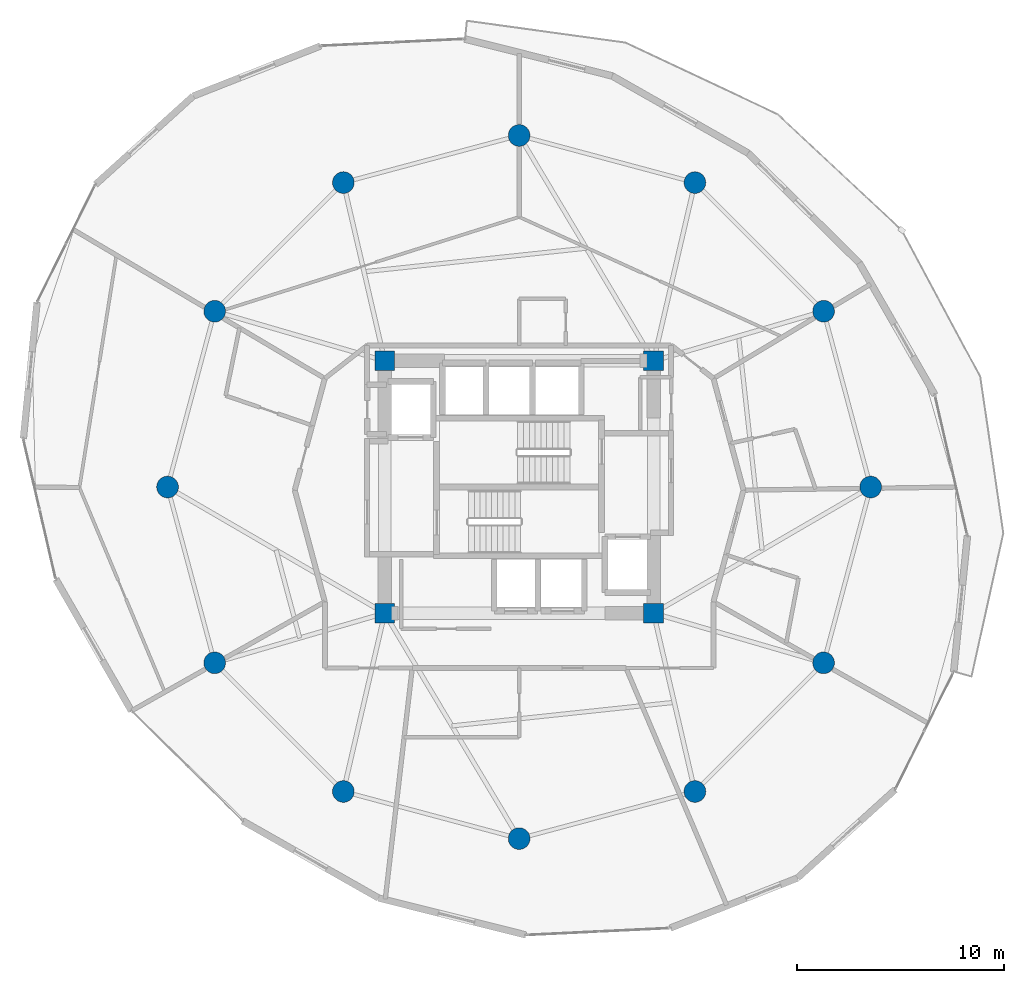
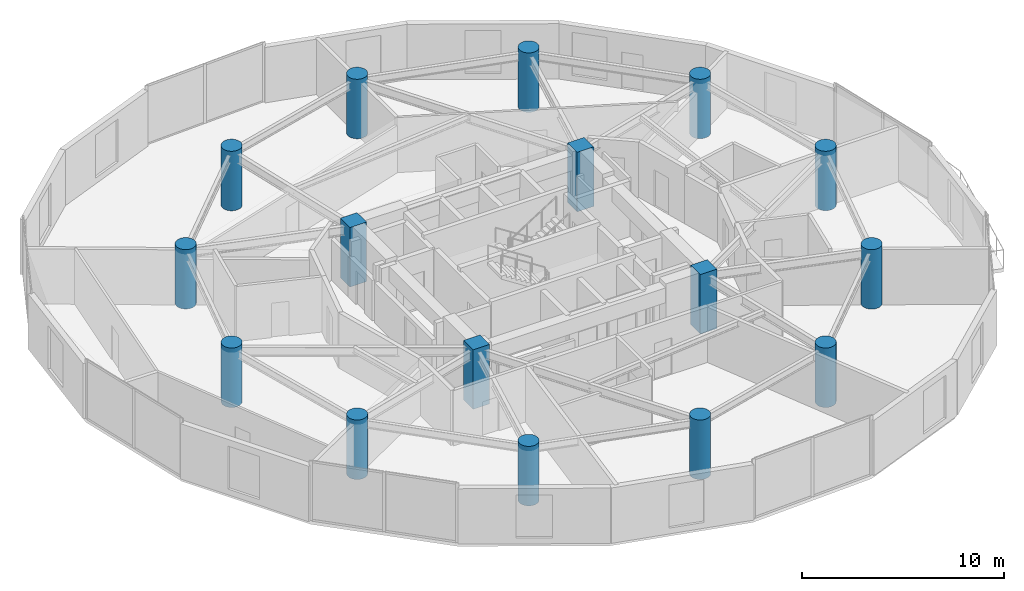
# One storey, part 1 of 25: 16 columns.
"""IFC4 building model written with IfcOpenShell, lengths in metres."""

from ifc_helpers import new_model, si_unit, direction, frame, origin, origin_2d, place, context, subcontext, project, spatial, rectangle, circle, extrude, material, material_profile, profile_set, type_object, element, save


model = new_model("IFC4")

# Units and contexts
model_context = context("Model", 3, precision=1e-05, world=origin(), true_north=direction((0.0, 1.0)))
body_context = subcontext(model_context, "Body", "Model", "MODEL_VIEW")
ifc_project = project(units=[si_unit("LENGTHUNIT", "METRE"), si_unit("AREAUNIT", "SQUARE_METRE"), si_unit("VOLUMEUNIT", "CUBIC_METRE"), si_unit("PLANEANGLEUNIT", "RADIAN"), si_unit("MASSUNIT", "GRAM", prefix="KILO")], contexts=[model_context])

# Site, building, storey
site_placement = place(None, origin())
site = spatial("IfcSite", under=ifc_project, at=site_placement, CompositionType="ELEMENT")
building_placement = place(site_placement, origin())
building = spatial("IfcBuilding", under=site, at=building_placement, Name="Solvirekh Grand Hotel", CompositionType="ELEMENT")
storey_placement = place(building_placement, frame((0.0, 0.0, 124.199951171875)))
storey = spatial("IfcBuildingStorey", under=building, at=storey_placement, Name="L31", CompositionType="ELEMENT", Elevation=124.199951171875)

# Columns
ifc_material = material(Name="Concrete C50/60", Category="concrete")
ifc_material_profile_1 = material_profile(ifc_material, rectangle(XDim=0.949951171875, YDim=0.949951171875, at=origin_2d()), Name="RC 950X950")
ifc_profile_set_1 = profile_set([ifc_material_profile_1], Name="Concrete C50/60")
column_type_1 = type_object("IfcColumnType", Name="Col_Core_950", PredefinedType="COLUMN", material=ifc_profile_set_1)
for number, where, z_axis, x_axis, name in (
    (1, (-6.5, -6.10009765625, 0.0), (0.0, 0.0, 1.0), (1.0, 0.0, 0.0), "L31 core corner column CC1"),
    (2, (6.5, -6.10009765625, 0.0), (0.0, 0.0, 1.0), (1.0, 0.0, 0.0), "L31 core corner column CC2"),
    (3, (6.5, 6.10009765625, 0.0), (0.0, 0.0, 1.0), (1.0, 0.0, 0.0), "L31 core corner column CC3"),
    (4, (-6.5, 6.10009765625, 0.0), (0.0, 0.0, 1.0), (1.0, 0.0, 0.0), "L31 core corner column CC4"),
):
    element("IfcColumn", number, at=place(storey_placement, frame(where, z_axis=z_axis, x_axis=x_axis)), inside=storey, type_object=column_type_1, Name=name, PredefinedType="COLUMN", context=body_context, shape_type="SweptSolid", body=[
        extrude(rectangle(XDim=0.949951171875, YDim=0.949951171875, at=origin_2d()), origin(), (0.0, 0.0, 1.0), 3.60009765625),
    ])
ifc_material_profile_2 = material_profile(ifc_material, circle(Radius=0.52490234375, at=origin_2d()), Name="RC CIRC D1050")
ifc_profile_set_2 = profile_set([ifc_material_profile_2], Name="Concrete C50/60")
column_type_2 = type_object("IfcColumnType", Name="Col_Z2_D1050", PredefinedType="COLUMN", material=ifc_profile_set_2)
for number, where, z_axis, x_axis, name in (
    (5, (17.0, 0.0, 0.0), (0.0, 0.0, 1.0), (1.0, 0.0, 0.0), "L31 perimeter column P01"),
    (6, (14.721923828125, 8.5, 0.0), (0.0, 0.0, 1.0), (1.0, 0.0, 0.0), "L31 perimeter column P02"),
    (7, (8.5, 14.721923828125, 0.0), (0.0, 0.0, 1.0), (1.0, 0.0, 0.0), "L31 perimeter column P03"),
    (8, (0.0, 17.0, 0.0), (0.0, 0.0, 1.0), (1.0, 0.0, 0.0), "L31 perimeter column P04"),
    (9, (-8.5, 14.721923828125, 0.0), (0.0, 0.0, 1.0), (1.0, 0.0, 0.0), "L31 perimeter column P05"),
    (10, (-14.721923828125, 8.5, 0.0), (0.0, 0.0, 1.0), (1.0, 0.0, 0.0), "L31 perimeter column P06"),
    (11, (-17.0, 0.0, 0.0), (0.0, 0.0, 1.0), (1.0, 0.0, 0.0), "L31 perimeter column P07"),
    (12, (-14.721923828125, -8.5, 0.0), (0.0, 0.0, 1.0), (1.0, 0.0, 0.0), "L31 perimeter column P08"),
    (13, (-8.5, -14.721923828125, 0.0), (0.0, 0.0, 1.0), (1.0, 0.0, 0.0), "L31 perimeter column P09"),
    (14, (0.0, -17.0, 0.0), (0.0, 0.0, 1.0), (1.0, 0.0, 0.0), "L31 perimeter column P10"),
    (15, (8.5, -14.721923828125, 0.0), (0.0, 0.0, 1.0), (1.0, 0.0, 0.0), "L31 perimeter column P11"),
    (16, (14.721923828125, -8.5, 0.0), (0.0, 0.0, 1.0), (1.0, 0.0, 0.0), "L31 perimeter column P12"),
):
    element("IfcColumn", number, at=place(storey_placement, frame(where, z_axis=z_axis, x_axis=x_axis)), inside=storey, type_object=column_type_2, Name=name, PredefinedType="COLUMN", context=body_context, shape_type="SweptSolid", body=[
        extrude(circle(Radius=0.52490234375, at=origin_2d()), origin(), (0.0, 0.0, 1.0), 3.60009765625),
    ])

save(model, "model.ifc")
